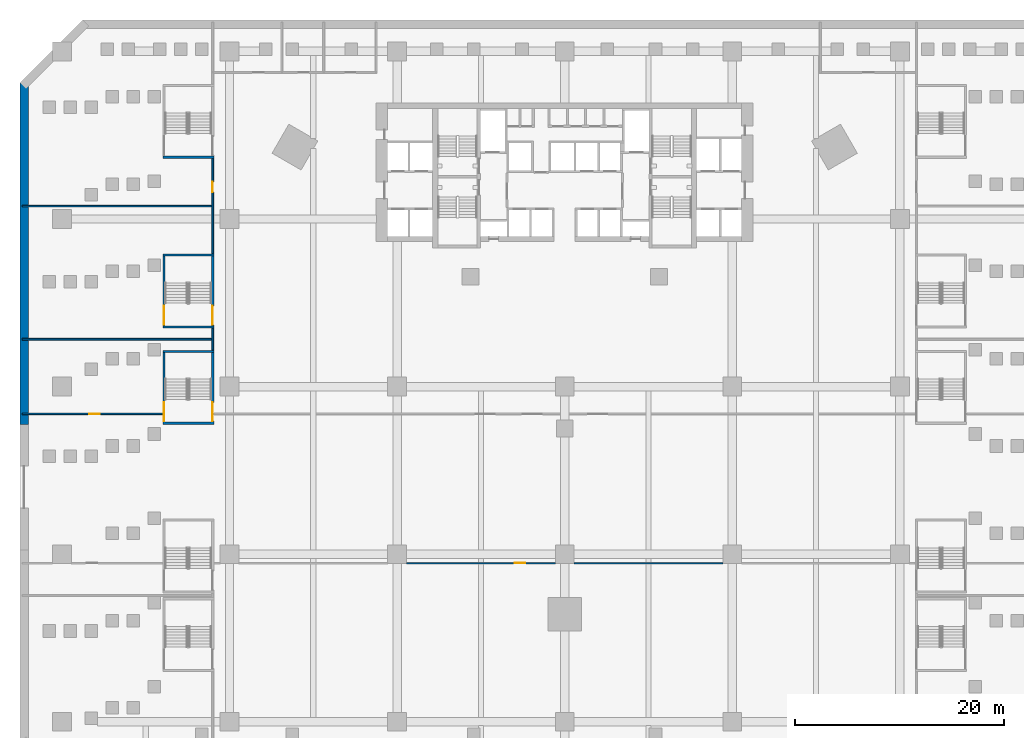
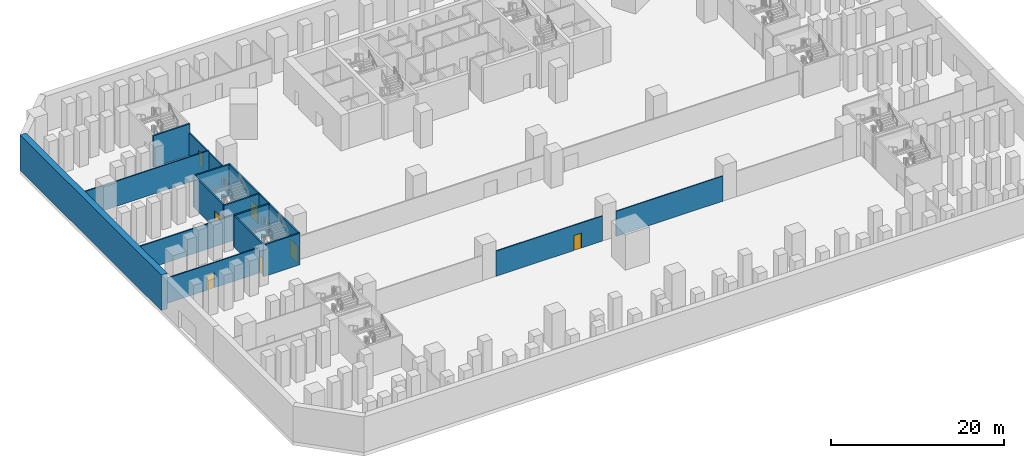
# One storey, part 6 of 24: 17 walls, 7 doors, 7 openings.
"""IFC4 building model written with IfcOpenShell, lengths in metres."""

from ifc_helpers import new_model, si_unit, direction, frame, frame_2d, origin, place, context, subcontext, project, spatial, rectangle, extrude, material, layer, layer_set, type_object, element, fill, save


model = new_model("IFC4")

# Units and contexts
model_context = context("Model", 3, precision=1e-05, world=origin(), true_north=direction((0.0, 1.0)))
body_context = subcontext(model_context, "Body", "Model", "MODEL_VIEW")
ifc_project = project(units=[si_unit("LENGTHUNIT", "METRE"), si_unit("AREAUNIT", "SQUARE_METRE"), si_unit("VOLUMEUNIT", "CUBIC_METRE"), si_unit("PLANEANGLEUNIT", "RADIAN"), si_unit("MASSUNIT", "GRAM", prefix="KILO")], contexts=[model_context])

# Site, building, storey
site_placement = place(None, origin())
site = spatial("IfcSite", under=ifc_project, at=site_placement, CompositionType="ELEMENT")
building_placement = place(site_placement, origin())
building = spatial("IfcBuilding", under=site, at=building_placement, Name="Calabash Gate Tower", CompositionType="ELEMENT")
storey_placement = place(building_placement, frame((0.0, 0.0, -5.0)))
storey = spatial("IfcBuildingStorey", under=building, at=storey_placement, Name="B1", CompositionType="ELEMENT", Elevation=-5.0)

# Wall
ifc_material_1 = material(Name="Concrete C60/75", Category="concrete")
ifc_layer_1 = layer(ifc_material_1, 0.800048828125)
ifc_layer_set_1 = layer_set([ifc_layer_1], Name="Diaphragm wall 800 Concrete C60/75")
wall_type_1 = type_object("IfcWallType", Name="Diaphragm wall 800 Concrete C60/75", PredefinedType="SHEAR", material=ifc_layer_set_1)
wall_1_placement = place(storey_placement, frame((-51.60009765625, 21.0, 0.0), z_axis=(0.0, 0.0, 1.0), x_axis=(0.0, -1.0, 0.0)))
element("IfcWall", 1, at=wall_1_placement, inside=storey, type_object=wall_type_1, Name="Diaphragm wall B1", PredefinedType="SHEAR", context=body_context, shape_type="SweptSolid", body=[
    extrude(rectangle(XDim=32.60009765625, YDim=0.800048828125, at=frame_2d((16.300048828125, 0.0))), origin(), (0.0, 0.0, 1.0), 5.0),
])

# Wall, opening, door
ifc_material_2 = material(Name="Gypsum board on steel studs, mineral wool", Category="steel")
ifc_layer_2 = layer(ifc_material_2, 0.14990234375)
ifc_layer_set_2 = layer_set([ifc_layer_2], Name="Partition 150 gypsum board")
wall_type_2 = type_object("IfcWallType", Name="Partition 150 gypsum board", PredefinedType="PARTITIONING", material=ifc_layer_set_2)
wall_2_placement = place(storey_placement, frame((-15.10009765625, -24.857421875, 0.0), z_axis=(0.0, 0.0, 1.0), x_axis=(1.0, 0.0, 0.0)))
wall_2 = element("IfcWall", 2, at=wall_2_placement, inside=storey, type_object=wall_type_2, Name="Partition", PredefinedType="PARTITIONING", context=body_context, shape_type="SweptSolid", body=[
    extrude(rectangle(XDim=14.2001953125, YDim=0.125, at=frame_2d((7.10009765625, 0.0))), origin(), (0.0, 0.0, 1.0), 3.550048828125),
])
opening_1_placement = place(wall_2_placement, frame((10.35009765625, 0.0, 0.0)))
opening_1 = element("IfcOpeningElement", 3, at=opening_1_placement, cuts=wall_2, Name="Opening B1-049", PredefinedType="OPENING", context=body_context, shape_type="SweptSolid", body=[
    extrude(rectangle(XDim=1.0, YDim=2.10009765625, at=frame_2d((0.5, 1.050048828125))), frame((0.0, 0.072509765625, 0.0), z_axis=(0.0, -1.0, 0.0), x_axis=(1.0, 0.0, 0.0)), (0.0, 0.0, 1.0), 0.14501953125),
])
ifc_material_3 = material(Name="Steel fire door set with fire-resisting glazing", Category="steel")
door_type_1 = type_object("IfcDoorType", Name="Fire door D11 1000x2100 FD60", OperationType="NOTDEFINED", PredefinedType="DOOR", material=ifc_material_3)
door_1_placement = place(opening_1_placement, origin())
door_1 = element("IfcDoor", 4, at=door_1_placement, inside=storey, type_object=door_type_1, Name="Station Back-of-house South door", OperationType="SINGLE_SWING_RIGHT", OverallHeight=2.10009765625, OverallWidth=1.0, PredefinedType="DOOR", context=body_context, shape_type="SweptSolid", body=[
    extrude(rectangle(XDim=1.0, YDim=2.10009765625, at=frame_2d((0.5, 1.050048828125))), frame((0.0, 0.02490234375, 0.0), z_axis=(0.0, -1.0, 0.0), x_axis=(1.0, 0.0, 0.0)), (0.0, 0.0, 1.0), 0.050048828125),
])
fill(opening_1, door_1)

# Wall
wall_3_placement = place(storey_placement, frame((0.89990234375, -24.857421875, 0.0), z_axis=(0.0, 0.0, 1.0), x_axis=(1.0, 0.0, 0.0)))
element("IfcWall", 5, at=wall_3_placement, inside=storey, type_object=wall_type_2, Name="Partition", PredefinedType="PARTITIONING", context=body_context, shape_type="SweptSolid", body=[
    extrude(rectangle(XDim=14.2001953125, YDim=0.125, at=frame_2d((7.10009765625, 0.0))), origin(), (0.0, 0.0, 1.0), 3.550048828125),
])

# Wall, opening, door
wall_4_placement = place(storey_placement, frame((-51.77490234375, -10.60009765625, 0.0), z_axis=(0.0, 0.0, 1.0), x_axis=(1.0, 0.0, 0.0)))
wall_4 = element("IfcWall", 6, at=wall_4_placement, inside=storey, type_object=wall_type_2, Name="Partition", PredefinedType="PARTITIONING", context=body_context, shape_type="SweptSolid", body=[
    extrude(rectangle(XDim=13.364990234375, YDim=0.14990234375, at=frame_2d((6.6826171875, 0.0))), origin(), (0.0, 0.0, 1.0), 3.550048828125),
])
opening_2_placement = place(wall_4_placement, frame((6.375, 0.0, 0.0)))
opening_2 = element("IfcOpeningElement", 7, at=opening_2_placement, cuts=wall_4, Name="Opening B1-051", PredefinedType="OPENING", context=body_context, shape_type="SweptSolid", body=[
    extrude(rectangle(XDim=1.0, YDim=2.10009765625, at=frame_2d((0.5, 1.050048828125))), frame((0.0, 0.0849609375, 0.0), z_axis=(0.0, -1.0, 0.0), x_axis=(1.0, 0.0, 0.0)), (0.0, 0.0, 1.0), 0.169921875),
])
door_2_placement = place(opening_2_placement, origin())
door_2 = element("IfcDoor", 8, at=door_2_placement, inside=storey, type_object=door_type_1, Name="Station Control Room door", OperationType="SINGLE_SWING_RIGHT", OverallHeight=2.10009765625, OverallWidth=1.0, PredefinedType="DOOR", context=body_context, shape_type="SweptSolid", body=[
    extrude(rectangle(XDim=1.0, YDim=2.10009765625, at=frame_2d((0.5, 1.050048828125))), frame((0.0, 0.02490234375, 0.0), z_axis=(0.0, -1.0, 0.0), x_axis=(1.0, 0.0, 0.0)), (0.0, 0.0, 1.0), 0.050048828125),
])
fill(opening_2, door_2)

# Walls
wall_5_placement = place(storey_placement, frame((-33.60009765625, -4.510009765625, 0.0), z_axis=(0.0, 0.0, 1.0), x_axis=(0.0, 1.0, 0.0)))
element("IfcWall", 9, at=wall_5_placement, inside=storey, type_object=wall_type_2, Name="Partition", PredefinedType="PARTITIONING", context=body_context, shape_type="SweptSolid", body=[
    extrude(rectangle(XDim=2.070068359375, YDim=0.14990234375, at=frame_2d((1.03515625, 0.0))), origin(), (0.0, 0.0, 1.0), 4.449951171875),
])
wall_6_placement = place(storey_placement, frame((-51.77490234375, -3.47509765625, 0.0), z_axis=(0.0, 0.0, 1.0), x_axis=(1.0, 0.0, 0.0)))
element("IfcWall", 10, at=wall_6_placement, inside=storey, type_object=wall_type_2, Name="Partition", PredefinedType="PARTITIONING", context=body_context, shape_type="SweptSolid", body=[
    extrude(rectangle(XDim=18.099853515625, YDim=0.14990234375, at=frame_2d((9.0498046875, 0.0))), origin(), (0.0, 0.0, 1.0), 3.550048828125),
])

# Wall, opening, door
wall_7_placement = place(storey_placement, frame((-33.60009765625, 4.68994140625, 0.0), z_axis=(0.0, 0.0, 1.0), x_axis=(0.0, 1.0, 0.0)))
wall_7 = element("IfcWall", 11, at=wall_7_placement, inside=storey, type_object=wall_type_2, Name="Partition", PredefinedType="PARTITIONING", context=body_context, shape_type="SweptSolid", body=[
    extrude(rectangle(XDim=9.070068359375, YDim=0.14990234375, at=frame_2d((4.53515625, 0.0))), origin(), (0.0, 0.0, 1.0), 3.25),
])
opening_3_placement = place(wall_7_placement, frame((5.885009765625, 0.0, 0.0)))
opening_3 = element("IfcOpeningElement", 12, at=opening_3_placement, cuts=wall_7, Name="Opening B1-052", PredefinedType="OPENING", context=body_context, shape_type="SweptSolid", body=[
    extrude(rectangle(XDim=1.0, YDim=2.10009765625, at=frame_2d((0.5, 1.050048828125))), frame((0.0, 0.0849609375, 0.0), z_axis=(0.0, -1.0, 0.0), x_axis=(1.0, 0.0, 0.0)), (0.0, 0.0, 1.0), 0.169921875),
])
door_3_placement = place(opening_3_placement, origin())
door_3 = element("IfcDoor", 13, at=door_3_placement, inside=storey, type_object=door_type_1, Name="Waste and Cleaners Store door", OperationType="SINGLE_SWING_LEFT", OverallHeight=2.10009765625, OverallWidth=1.0, PredefinedType="DOOR", context=body_context, shape_type="SweptSolid", body=[
    extrude(rectangle(XDim=1.0, YDim=2.10009765625, at=frame_2d((0.5, 1.050048828125))), frame((0.0, 0.02490234375, 0.0), z_axis=(0.0, -1.0, 0.0), x_axis=(1.0, 0.0, 0.0)), (0.0, 0.0, 1.0), 0.050048828125),
])
fill(opening_3, door_3)

# Walls
wall_8_placement = place(storey_placement, frame((-51.77490234375, 9.22509765625, 0.0), z_axis=(0.0, 0.0, 1.0), x_axis=(1.0, 0.0, 0.0)))
element("IfcWall", 14, at=wall_8_placement, inside=storey, type_object=wall_type_2, Name="Partition", PredefinedType="PARTITIONING", context=body_context, shape_type="SweptSolid", body=[
    extrude(rectangle(XDim=18.099853515625, YDim=0.14990234375, at=frame_2d((9.0498046875, 0.0))), origin(), (0.0, 0.0, 1.0), 3.550048828125),
])
ifc_material_4 = material(Name="Concrete C40/50", Category="concrete")
ifc_layer_3 = layer(ifc_material_4, 0.199951171875)
ifc_layer_set_3 = layer_set([ifc_layer_3], Name="Stair wall 200 Concrete C40/50")
wall_type_3 = type_object("IfcWallType", Name="Stair wall 200 Concrete C40/50", PredefinedType="SOLIDWALL", material=ifc_layer_set_3)
for number, where, z_axis, x_axis, name in (
    (15, (-38.3701171875, -11.5, 0.0), (0.0, 0.0, 1.0), (1.0, 0.0, 0.0), "Stair wall"),
    (16, (-38.3701171875, -4.64990234375, 0.0), (0.0, 0.0, 1.0), (1.0, 0.0, 0.0), "Stair wall"),
):
    element("IfcWall", number, at=place(storey_placement, frame(where, z_axis=z_axis, x_axis=x_axis)), inside=storey, type_object=wall_type_3, Name=name, PredefinedType="SOLIDWALL", context=body_context, shape_type="SweptSolid", body=[
        extrude(rectangle(XDim=4.8701171875, YDim=0.199951171875, at=frame_2d((2.43505859375, 0.0))), origin(), (0.0, 0.0, 1.0), 4.449951171875),
    ])

# Wall, opening, door
wall_9_placement = place(storey_placement, frame((-38.27001953125, -11.39990234375, 0.0), z_axis=(0.0, 0.0, 1.0), x_axis=(0.0, 1.0, 0.0)))
wall_9 = element("IfcWall", 17, at=wall_9_placement, inside=storey, type_object=wall_type_3, Name="Stair wall", PredefinedType="SOLIDWALL", context=body_context, shape_type="SweptSolid", body=[
    extrude(rectangle(XDim=6.64990234375, YDim=0.199951171875, at=frame_2d((3.324951171875, 0.0))), origin(), (0.0, 0.0, 1.0), 4.449951171875),
])
opening_4_placement = place(wall_9_placement, frame((0.10009765625, 0.0, 0.0)))
opening_4 = element("IfcOpeningElement", 18, at=opening_4_placement, cuts=wall_9, Name="Opening B1-027", PredefinedType="OPENING", context=body_context, shape_type="SweptSolid", body=[
    extrude(rectangle(XDim=1.800048828125, YDim=2.39990234375, at=frame_2d((0.89990234375, 1.199951171875))), frame((0.0, 0.10986328125, 0.0), z_axis=(0.0, -1.0, 0.0), x_axis=(1.0, 0.0, 0.0)), (0.0, 0.0, 1.0), 0.219970703125),
])
ifc_material_5 = material(Name="Steel fire door set with fire-resisting glazing", Category="steel")
door_type_2 = type_object("IfcDoorType", Name="Double fire door D16 1800x2400 FD90", OperationType="DOUBLE_DOOR_SINGLE_SWING", PredefinedType="DOOR", material=ifc_material_5)
door_4_placement = place(opening_4_placement, origin())
door_4 = element("IfcDoor", 19, at=door_4_placement, inside=storey, type_object=door_type_2, Name="Exit stair door PS3", OperationType="DOUBLE_DOOR_SINGLE_SWING", OverallHeight=2.39990234375, OverallWidth=1.800048828125, PredefinedType="DOOR", context=body_context, shape_type="SweptSolid", body=[
    extrude(rectangle(XDim=1.800048828125, YDim=2.39990234375, at=frame_2d((0.89990234375, 1.199951171875))), frame((0.0, 0.02490234375, 0.0), z_axis=(0.0, -1.0, 0.0), x_axis=(1.0, 0.0, 0.0)), (0.0, 0.0, 1.0), 0.050048828125),
])
fill(opening_4, door_4)

wall_10_placement = place(storey_placement, frame((-33.60009765625, -11.39990234375, 0.0), z_axis=(0.0, 0.0, 1.0), x_axis=(0.0, 1.0, 0.0)))
wall_10 = element("IfcWall", 20, at=wall_10_placement, inside=storey, type_object=wall_type_3, Name="Stair wall", PredefinedType="SOLIDWALL", context=body_context, shape_type="SweptSolid", body=[
    extrude(rectangle(XDim=6.64990234375, YDim=0.199951171875, at=frame_2d((3.324951171875, 0.0))), origin(), (0.0, 0.0, 1.0), 4.449951171875),
])
opening_5_placement = place(wall_10_placement, frame((0.10009765625, 0.0, 0.0)))
opening_5 = element("IfcOpeningElement", 21, at=opening_5_placement, cuts=wall_10, Name="Opening B1-026", PredefinedType="OPENING", context=body_context, shape_type="SweptSolid", body=[
    extrude(rectangle(XDim=1.800048828125, YDim=2.39990234375, at=frame_2d((0.89990234375, 1.199951171875))), frame((0.0, 0.10986328125, 0.0), z_axis=(0.0, -1.0, 0.0), x_axis=(1.0, 0.0, 0.0)), (0.0, 0.0, 1.0), 0.219970703125),
])
door_5_placement = place(opening_5_placement, origin())
door_5 = element("IfcDoor", 22, at=door_5_placement, inside=storey, type_object=door_type_2, Name="Exit stair door PS3", OperationType="DOUBLE_DOOR_SINGLE_SWING", OverallHeight=2.39990234375, OverallWidth=1.800048828125, PredefinedType="DOOR", context=body_context, shape_type="SweptSolid", body=[
    extrude(rectangle(XDim=1.800048828125, YDim=2.39990234375, at=frame_2d((0.89990234375, 1.199951171875))), frame((0.0, 0.02490234375, 0.0), z_axis=(0.0, -1.0, 0.0), x_axis=(1.0, 0.0, 0.0)), (0.0, 0.0, 1.0), 0.050048828125),
])
fill(opening_5, door_5)

# Walls
for number, where, z_axis, x_axis, name in (
    (23, (-38.3701171875, -2.300048828125, 0.0), (0.0, 0.0, 1.0), (1.0, 0.0, 0.0), "Stair wall"),
    (24, (-38.3701171875, 4.550048828125, 0.0), (0.0, 0.0, 1.0), (1.0, 0.0, 0.0), "Stair wall"),
):
    element("IfcWall", number, at=place(storey_placement, frame(where, z_axis=z_axis, x_axis=x_axis)), inside=storey, type_object=wall_type_3, Name=name, PredefinedType="SOLIDWALL", context=body_context, shape_type="SweptSolid", body=[
        extrude(rectangle(XDim=4.8701171875, YDim=0.199951171875, at=frame_2d((2.43505859375, 0.0))), origin(), (0.0, 0.0, 1.0), 4.449951171875),
    ])

# Wall, opening, door
wall_11_placement = place(storey_placement, frame((-38.27001953125, -2.199951171875, 0.0), z_axis=(0.0, 0.0, 1.0), x_axis=(0.0, 1.0, 0.0)))
wall_11 = element("IfcWall", 25, at=wall_11_placement, inside=storey, type_object=wall_type_3, Name="Stair wall", PredefinedType="SOLIDWALL", context=body_context, shape_type="SweptSolid", body=[
    extrude(rectangle(XDim=6.64990234375, YDim=0.199951171875, at=frame_2d((3.324951171875, 0.0))), origin(), (0.0, 0.0, 1.0), 4.449951171875),
])
opening_6_placement = place(wall_11_placement, frame((0.10009765625, 0.0, 0.0)))
opening_6 = element("IfcOpeningElement", 26, at=opening_6_placement, cuts=wall_11, Name="Opening B1-029", PredefinedType="OPENING", context=body_context, shape_type="SweptSolid", body=[
    extrude(rectangle(XDim=1.800048828125, YDim=2.39990234375, at=frame_2d((0.89990234375, 1.199951171875))), frame((0.0, 0.10986328125, 0.0), z_axis=(0.0, -1.0, 0.0), x_axis=(1.0, 0.0, 0.0)), (0.0, 0.0, 1.0), 0.219970703125),
])
door_6_placement = place(opening_6_placement, origin())
door_6 = element("IfcDoor", 27, at=door_6_placement, inside=storey, type_object=door_type_2, Name="Exit stair door PS4", OperationType="DOUBLE_DOOR_SINGLE_SWING", OverallHeight=2.39990234375, OverallWidth=1.800048828125, PredefinedType="DOOR", context=body_context, shape_type="SweptSolid", body=[
    extrude(rectangle(XDim=1.800048828125, YDim=2.39990234375, at=frame_2d((0.89990234375, 1.199951171875))), frame((0.0, 0.02490234375, 0.0), z_axis=(0.0, -1.0, 0.0), x_axis=(1.0, 0.0, 0.0)), (0.0, 0.0, 1.0), 0.050048828125),
])
fill(opening_6, door_6)

wall_12_placement = place(storey_placement, frame((-33.60009765625, -2.199951171875, 0.0), z_axis=(0.0, 0.0, 1.0), x_axis=(0.0, 1.0, 0.0)))
wall_12 = element("IfcWall", 28, at=wall_12_placement, inside=storey, type_object=wall_type_3, Name="Stair wall", PredefinedType="SOLIDWALL", context=body_context, shape_type="SweptSolid", body=[
    extrude(rectangle(XDim=6.64990234375, YDim=0.199951171875, at=frame_2d((3.324951171875, 0.0))), origin(), (0.0, 0.0, 1.0), 4.449951171875),
])
opening_7_placement = place(wall_12_placement, frame((0.10009765625, 0.0, 0.0)))
opening_7 = element("IfcOpeningElement", 29, at=opening_7_placement, cuts=wall_12, Name="Opening B1-028", PredefinedType="OPENING", context=body_context, shape_type="SweptSolid", body=[
    extrude(rectangle(XDim=1.800048828125, YDim=2.39990234375, at=frame_2d((0.89990234375, 1.199951171875))), frame((0.0, 0.10986328125, 0.0), z_axis=(0.0, -1.0, 0.0), x_axis=(1.0, 0.0, 0.0)), (0.0, 0.0, 1.0), 0.219970703125),
])
door_7_placement = place(opening_7_placement, origin())
door_7 = element("IfcDoor", 30, at=door_7_placement, inside=storey, type_object=door_type_2, Name="Exit stair door PS4", OperationType="DOUBLE_DOOR_SINGLE_SWING", OverallHeight=2.39990234375, OverallWidth=1.800048828125, PredefinedType="DOOR", context=body_context, shape_type="SweptSolid", body=[
    extrude(rectangle(XDim=1.800048828125, YDim=2.39990234375, at=frame_2d((0.89990234375, 1.199951171875))), frame((0.0, 0.02490234375, 0.0), z_axis=(0.0, -1.0, 0.0), x_axis=(1.0, 0.0, 0.0)), (0.0, 0.0, 1.0), 0.050048828125),
])
fill(opening_7, door_7)

# Wall
wall_13_placement = place(storey_placement, frame((-38.3701171875, 13.89990234375, 0.0), z_axis=(0.0, 0.0, 1.0), x_axis=(1.0, 0.0, 0.0)))
element("IfcWall", 31, at=wall_13_placement, inside=storey, type_object=wall_type_3, Name="Stair wall", PredefinedType="SOLIDWALL", context=body_context, shape_type="SweptSolid", body=[
    extrude(rectangle(XDim=4.8701171875, YDim=0.199951171875, at=frame_2d((2.43505859375, 0.0))), origin(), (0.0, 0.0, 1.0), 4.449951171875),
])

save(model, "model.ifc")
